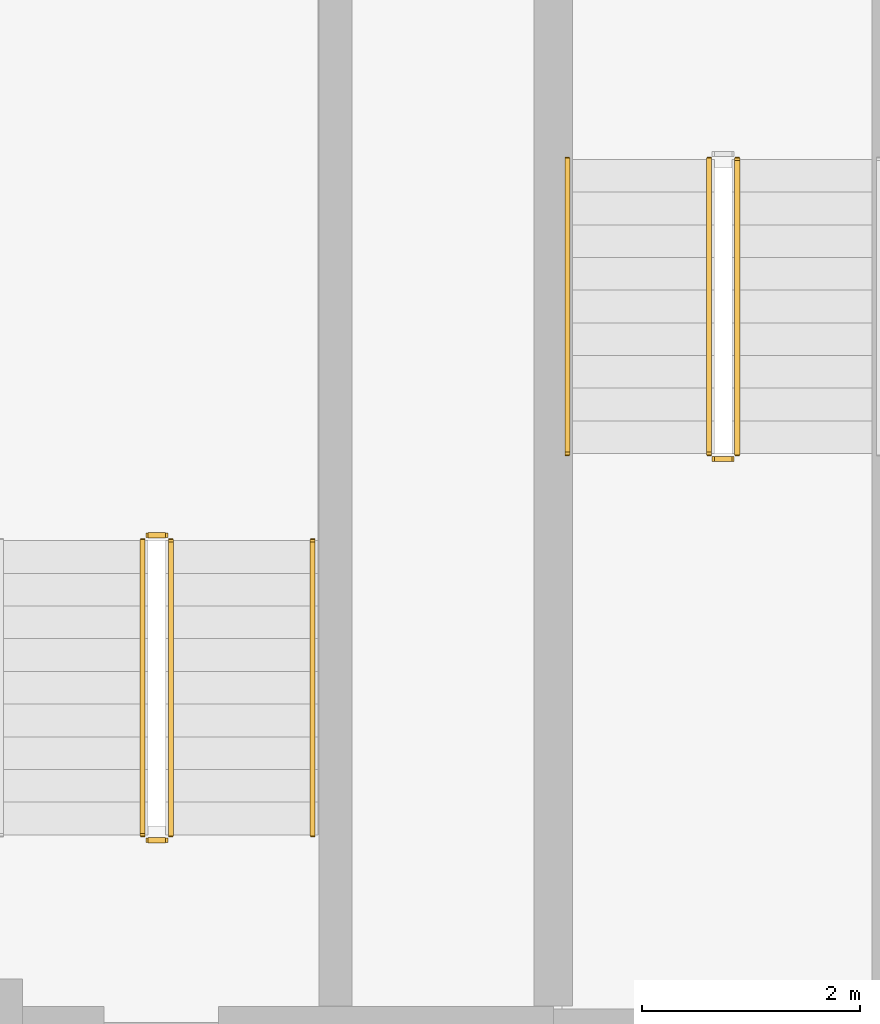
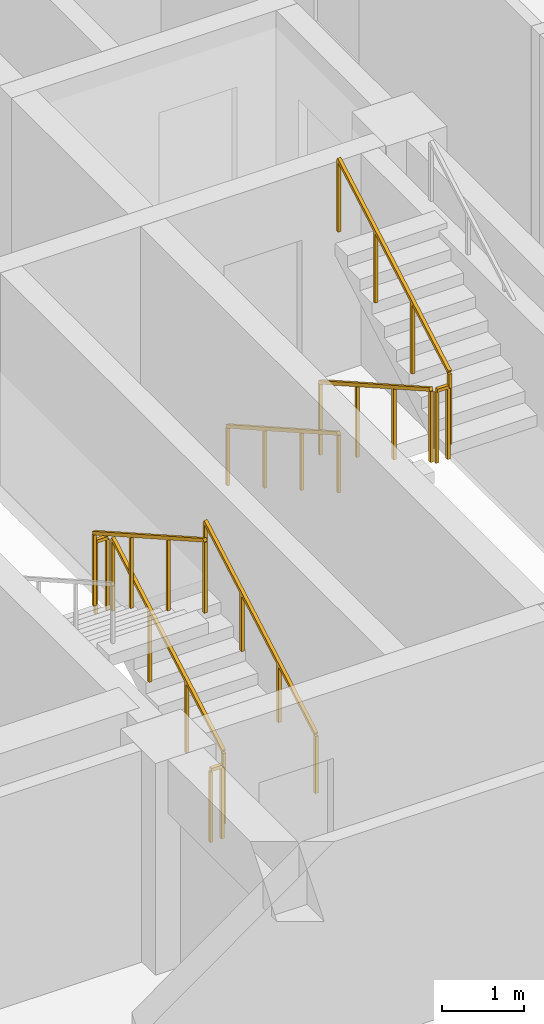
# One storey, part 9 of 14: 9 railings.
"""IFC4 building model written with IfcOpenShell, lengths in metres."""

from ifc_helpers import new_model, si_unit, direction, frame, origin, origin_2d, place, context, subcontext, project, spatial, rectangle, extrude, material, type_object, element, save


model = new_model("IFC4")

# Units and contexts
model_context = context("Model", 3, precision=1e-05, world=origin(), true_north=direction((0.0, 1.0)))
body_context = subcontext(model_context, "Body", "Model", "MODEL_VIEW")
ifc_project = project(units=[si_unit("LENGTHUNIT", "METRE"), si_unit("AREAUNIT", "SQUARE_METRE"), si_unit("VOLUMEUNIT", "CUBIC_METRE"), si_unit("PLANEANGLEUNIT", "RADIAN"), si_unit("MASSUNIT", "GRAM", prefix="KILO")], contexts=[model_context])

# Site, building, storey
site_placement = place(None, origin())
site = spatial("IfcSite", under=ifc_project, at=site_placement, CompositionType="ELEMENT")
building_placement = place(site_placement, origin())
building = spatial("IfcBuilding", under=site, at=building_placement, Name="Zulmaris Gate Convention Tower", CompositionType="ELEMENT")
storey_placement = place(building_placement, frame((0.0, 0.0, 215.260009765625)))
storey = spatial("IfcBuildingStorey", under=building, at=storey_placement, Name="L56", CompositionType="ELEMENT", Elevation=215.260009765625)

# Railings
ifc_material_1 = material(Name="Painted Galvanised Steel", Category="steel")
railing_type_1 = type_object("IfcRailingType", Name="RL-STG-1150", PredefinedType="GUARDRAIL", material=ifc_material_1)
railing_1_placement = place(storey_placement, frame((-13.27001953125, -2.0, 0.169921875)))
element("IfcRailing", 1, at=railing_1_placement, inside=storey, type_object=railing_type_1, Name="L56 ST-1 stair guard 1", PredefinedType="GUARDRAIL", context=body_context, shape_type="SweptSolid", body=[
    extrude(rectangle(XDim=0.048095703125, YDim=0.048095703125, at=origin_2d()), frame((0.0, 0.0, 1.076171875), z_axis=(0.0, -0.870014312096, 0.49302646658), x_axis=(1.0, 0.0, 0.0)), (0.0, 0.0, 1.0), 3.103271484375),
    extrude(rectangle(XDim=0.0419921875, YDim=0.0419921875, at=origin_2d()), origin(), (0.0, 0.0, 1.0), 1.052001953125),
    extrude(rectangle(XDim=0.0419921875, YDim=0.0419921875, at=origin_2d()), frame((0.0, -0.89990234375, 0.510009765625)), (0.0, 0.0, 1.0), 1.052001953125),
    extrude(rectangle(XDim=0.0419921875, YDim=0.0419921875, at=origin_2d()), frame((0.0, -1.800048828125, 1.02001953125)), (0.0, 0.0, 1.0), 1.052001953125),
    extrude(rectangle(XDim=0.0419921875, YDim=0.0419921875, at=origin_2d()), frame((0.0, -2.699951171875, 1.530029296875)), (0.0, 0.0, 1.0), 1.052001953125),
])
railing_2_placement = place(storey_placement, frame((-13.219970703125, -4.75, 1.699951171875)))
element("IfcRailing", 2, at=railing_2_placement, inside=storey, type_object=railing_type_1, Name="L56 ST-1 stair guard 2", PredefinedType="GUARDRAIL", context=body_context, shape_type="SweptSolid", body=[
    extrude(rectangle(XDim=0.048095703125, YDim=0.048095703125, at=origin_2d()), frame((0.0, 0.0, 1.076171875), z_axis=(1.0, 0.0, 0.0), x_axis=(0.0, 1.0, 0.0)), (0.0, 0.0, 1.0), 0.159912109375),
    extrude(rectangle(XDim=0.0419921875, YDim=0.0419921875, at=origin_2d()), origin(), (0.0, 0.0, 1.0), 1.052001953125),
    extrude(rectangle(XDim=0.0419921875, YDim=0.0419921875, at=origin_2d()), frame((0.159912109375, 0.0, 0.0)), (0.0, 0.0, 1.0), 1.052001953125),
])
for number, where, name in (
    (3, (-13.010009765625, -4.699951171875, 1.869873046875), "L56 ST-1 stair guard 3"),
    (4, (-18.2099609375, -8.199951171875, 0.169921875), "L56 ST-3 stair guard 1"),
):
    element("IfcRailing", number, at=place(storey_placement, frame(where)), inside=storey, type_object=railing_type_1, Name=name, PredefinedType="GUARDRAIL", context=body_context, shape_type="SweptSolid", body=[
        extrude(rectangle(XDim=0.048095703125, YDim=0.048095703125, at=origin_2d()), frame((0.0, 0.0, 1.076171875), z_axis=(0.0, 0.870014312096, 0.49302646658), x_axis=(-1.0, 0.0, 0.0)), (0.0, 0.0, 1.0), 3.103271484375),
        extrude(rectangle(XDim=0.0419921875, YDim=0.0419921875, at=origin_2d()), origin(), (0.0, 0.0, 1.0), 1.052001953125),
        extrude(rectangle(XDim=0.0419921875, YDim=0.0419921875, at=origin_2d()), frame((0.0, 0.89990234375, 0.510009765625)), (0.0, 0.0, 1.0), 1.052001953125),
        extrude(rectangle(XDim=0.0419921875, YDim=0.0419921875, at=origin_2d()), frame((0.0, 1.800048828125, 1.02001953125)), (0.0, 0.0, 1.0), 1.052001953125),
        extrude(rectangle(XDim=0.0419921875, YDim=0.0419921875, at=origin_2d()), frame((0.0, 2.699951171875, 1.530029296875)), (0.0, 0.0, 1.0), 1.052001953125),
    ])
railing_3_placement = place(storey_placement, frame((-18.260009765625, -5.449951171875, 1.699951171875)))
element("IfcRailing", 5, at=railing_3_placement, inside=storey, type_object=railing_type_1, Name="L56 ST-3 stair guard 2", PredefinedType="GUARDRAIL", context=body_context, shape_type="SweptSolid", body=[
    extrude(rectangle(XDim=0.048095703125, YDim=0.048095703125, at=origin_2d()), frame((0.0, 0.0, 1.076171875), z_axis=(-1.0, 0.0, 0.0), x_axis=(0.0, -1.0, 0.0)), (0.0, 0.0, 1.0), 0.159912109375),
    extrude(rectangle(XDim=0.0419921875, YDim=0.0419921875, at=origin_2d()), origin(), (0.0, 0.0, 1.0), 1.052001953125),
    extrude(rectangle(XDim=0.0419921875, YDim=0.0419921875, at=origin_2d()), frame((-0.159912109375, 0.0, 0.0)), (0.0, 0.0, 1.0), 1.052001953125),
])
railing_4_placement = place(storey_placement, frame((-18.469970703125, -5.5, 1.869873046875)))
element("IfcRailing", 6, at=railing_4_placement, inside=storey, type_object=railing_type_1, Name="L56 ST-3 stair guard 3", PredefinedType="GUARDRAIL", context=body_context, shape_type="SweptSolid", body=[
    extrude(rectangle(XDim=0.048095703125, YDim=0.048095703125, at=origin_2d()), frame((0.0, 0.0, 1.076171875), z_axis=(0.0, -0.870014312096, 0.49302646658), x_axis=(1.0, 0.0, 0.0)), (0.0, 0.0, 1.0), 3.103271484375),
    extrude(rectangle(XDim=0.0419921875, YDim=0.0419921875, at=origin_2d()), origin(), (0.0, 0.0, 1.0), 1.052001953125),
    extrude(rectangle(XDim=0.0419921875, YDim=0.0419921875, at=origin_2d()), frame((0.0, -0.89990234375, 0.510009765625)), (0.0, 0.0, 1.0), 1.052001953125),
    extrude(rectangle(XDim=0.0419921875, YDim=0.0419921875, at=origin_2d()), frame((0.0, -1.800048828125, 1.02001953125)), (0.0, 0.0, 1.0), 1.052001953125),
    extrude(rectangle(XDim=0.0419921875, YDim=0.0419921875, at=origin_2d()), frame((0.0, -2.699951171875, 1.530029296875)), (0.0, 0.0, 1.0), 1.052001953125),
])
railing_5_placement = place(storey_placement, frame((-18.260009765625, -8.25, 0.0)))
element("IfcRailing", 7, at=railing_5_placement, inside=storey, type_object=railing_type_1, Name="L56 ST-3 stair guard 4", PredefinedType="GUARDRAIL", context=body_context, shape_type="SweptSolid", body=[
    extrude(rectangle(XDim=0.048095703125, YDim=0.048095703125, at=origin_2d()), frame((0.0, 0.0, 1.076171875), z_axis=(-1.0, 0.0, 0.0), x_axis=(0.0, -1.0, 0.0)), (0.0, 0.0, 1.0), 0.159912109375),
    extrude(rectangle(XDim=0.0419921875, YDim=0.0419921875, at=origin_2d()), origin(), (0.0, 0.0, 1.0), 1.052001953125),
    extrude(rectangle(XDim=0.0419921875, YDim=0.0419921875, at=origin_2d()), frame((-0.159912109375, 0.0, 0.0)), (0.0, 0.0, 1.0), 1.052001953125),
])
ifc_material_2 = material(Name="Brushed Stainless Steel", Category="steel")
railing_type_2 = type_object("IfcRailingType", Name="RL-STH-900", PredefinedType="HANDRAIL", material=ifc_material_2)
railing_6_placement = place(storey_placement, frame((-14.570068359375, -2.0, 0.169921875)))
element("IfcRailing", 8, at=railing_6_placement, inside=storey, type_object=railing_type_2, Name="L56 ST-1 stair handrail 1", PredefinedType="HANDRAIL", context=body_context, shape_type="SweptSolid", body=[
    extrude(rectangle(XDim=0.048095703125, YDim=0.048095703125, at=origin_2d()), frame((0.0, 0.0, 0.8759765625), z_axis=(0.0, -0.870014312096, 0.49302646658), x_axis=(1.0, 0.0, 0.0)), (0.0, 0.0, 1.0), 3.103271484375),
    extrude(rectangle(XDim=0.0419921875, YDim=0.0419921875, at=origin_2d()), origin(), (0.0, 0.0, 1.0), 0.851806640625),
    extrude(rectangle(XDim=0.0419921875, YDim=0.0419921875, at=origin_2d()), frame((0.0, -0.89990234375, 0.510009765625)), (0.0, 0.0, 1.0), 0.851806640625),
    extrude(rectangle(XDim=0.0419921875, YDim=0.0419921875, at=origin_2d()), frame((0.0, -1.800048828125, 1.02001953125)), (0.0, 0.0, 1.0), 0.851806640625),
    extrude(rectangle(XDim=0.0419921875, YDim=0.0419921875, at=origin_2d()), frame((0.0, -2.699951171875, 1.530029296875)), (0.0, 0.0, 1.0), 0.851806640625),
])
railing_7_placement = place(storey_placement, frame((-16.909912109375, -8.199951171875, 0.169921875)))
element("IfcRailing", 9, at=railing_7_placement, inside=storey, type_object=railing_type_2, Name="L56 ST-3 stair handrail 1", PredefinedType="HANDRAIL", context=body_context, shape_type="SweptSolid", body=[
    extrude(rectangle(XDim=0.048095703125, YDim=0.048095703125, at=origin_2d()), frame((0.0, 0.0, 0.8759765625), z_axis=(0.0, 0.870014312096, 0.49302646658), x_axis=(-1.0, 0.0, 0.0)), (0.0, 0.0, 1.0), 3.103271484375),
    extrude(rectangle(XDim=0.0419921875, YDim=0.0419921875, at=origin_2d()), origin(), (0.0, 0.0, 1.0), 0.851806640625),
    extrude(rectangle(XDim=0.0419921875, YDim=0.0419921875, at=origin_2d()), frame((0.0, 0.89990234375, 0.510009765625)), (0.0, 0.0, 1.0), 0.851806640625),
    extrude(rectangle(XDim=0.0419921875, YDim=0.0419921875, at=origin_2d()), frame((0.0, 1.800048828125, 1.02001953125)), (0.0, 0.0, 1.0), 0.851806640625),
    extrude(rectangle(XDim=0.0419921875, YDim=0.0419921875, at=origin_2d()), frame((0.0, 2.699951171875, 1.530029296875)), (0.0, 0.0, 1.0), 0.851806640625),
])

save(model, "model.ifc")
